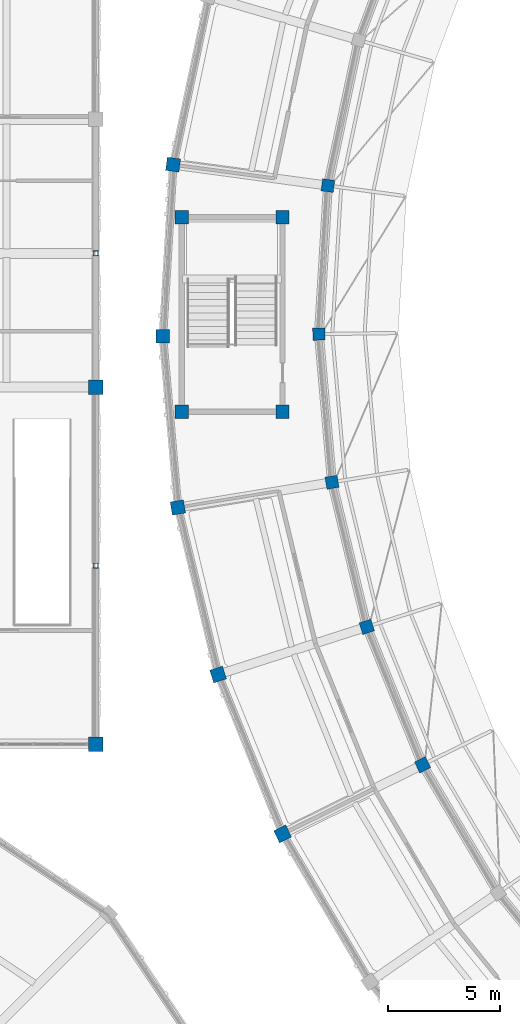
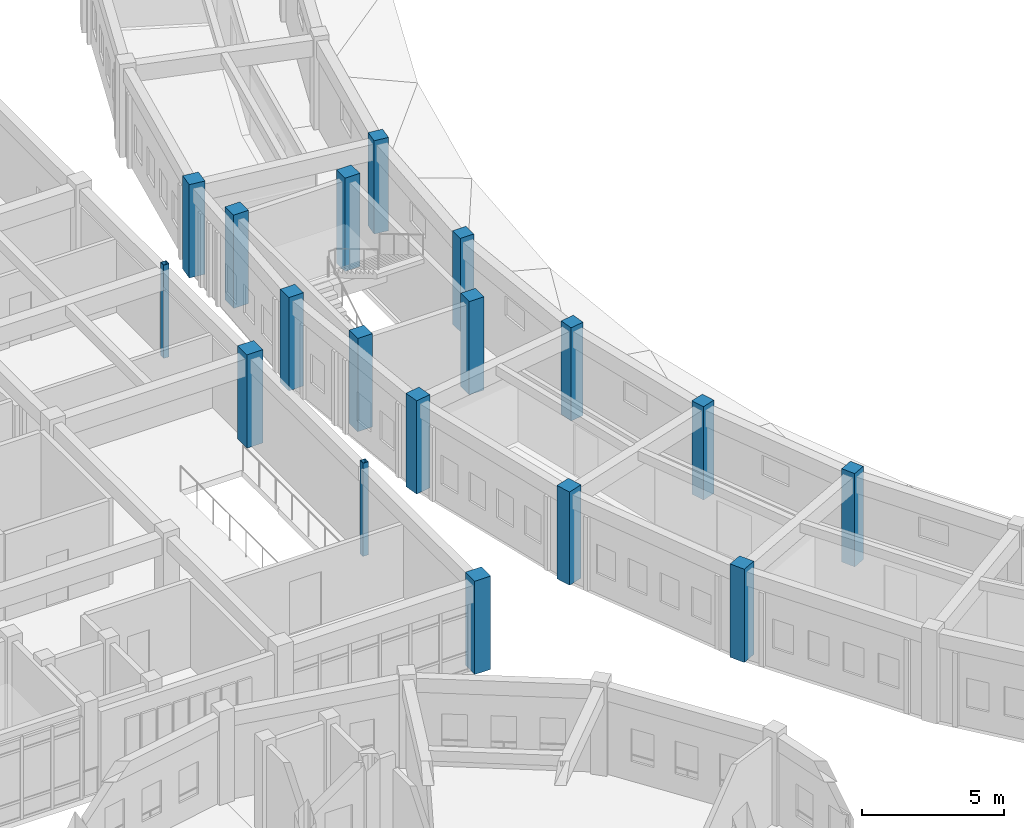
# One storey, part 3 of 112: 18 columns.
"""IFC4 building model written with IfcOpenShell, lengths in metres."""

from ifc_helpers import new_model, si_unit, direction, frame, origin, origin_2d, place, context, subcontext, project, spatial, rectangle, hollow_rectangle, extrude, material, material_profile, profile_set, type_object, element, save


model = new_model("IFC4")

# Units and contexts
model_context = context("Model", 3, precision=1e-05, world=origin(), true_north=direction((0.0, 1.0)))
body_context = subcontext(model_context, "Body", "Model", "MODEL_VIEW")
ifc_project = project(units=[si_unit("LENGTHUNIT", "METRE"), si_unit("AREAUNIT", "SQUARE_METRE"), si_unit("VOLUMEUNIT", "CUBIC_METRE"), si_unit("PLANEANGLEUNIT", "RADIAN"), si_unit("MASSUNIT", "GRAM", prefix="KILO")], contexts=[model_context])

# Site, building, storey
site_placement = place(None, origin())
site = spatial("IfcSite", under=ifc_project, at=site_placement, CompositionType="ELEMENT")
building_placement = place(site_placement, origin())
building = spatial("IfcBuilding", under=site, at=building_placement, Name="Celadon Cloister-Ring School", CompositionType="ELEMENT")
storey_placement = place(building_placement, frame((0.0, 0.0, 8.5)))
storey = spatial("IfcBuildingStorey", under=building, at=storey_placement, Name="L02", CompositionType="ELEMENT", Elevation=8.5)

# Columns
ifc_material_1 = material(Name="Concrete C40/50", Category="concrete")
ifc_material_profile_1 = material_profile(ifc_material_1, rectangle(XDim=0.60009765625, YDim=0.60009765625, at=origin_2d()), Name="RC600X600")
ifc_profile_set_1 = profile_set([ifc_material_profile_1], Name="Concrete C40/50")
column_type_1 = type_object("IfcColumnType", Name="CT-04", PredefinedType="COLUMN", material=ifc_profile_set_1)
for number, where, z_axis, x_axis, name in (
    (1, (35.85009765625, 54.89990234375, 0.0), (0.0, 0.0, 1.0), (1.0, 0.0, 0.0), "Column 0035"),
    (2, (40.3701171875, 54.89990234375, 0.0), (0.0, 0.0, 1.0), (1.0, 0.0, 0.0), "Column 0039"),
    (3, (40.3701171875, 63.6201171875, 0.0), (0.0, 0.0, 1.0), (1.0, 0.0, 0.0), "Column 0043"),
    (4, (35.85009765625, 63.6201171875, 0.0), (0.0, 0.0, 1.0), (1.0, 0.0, 0.0), "Column 0047"),
):
    element("IfcColumn", number, at=place(storey_placement, frame(where, z_axis=z_axis, x_axis=x_axis)), inside=storey, type_object=column_type_1, Name=name, PredefinedType="COLUMN", context=body_context, shape_type="SweptSolid", body=[
        extrude(rectangle(XDim=0.60009765625, YDim=0.60009765625, at=origin_2d()), origin(), (0.0, 0.0, 1.0), 4.0),
    ])
ifc_material_2 = material(Name="Concrete C40/50", Category="concrete")
ifc_material_profile_2 = material_profile(ifc_material_2, rectangle(XDim=0.64990234375, YDim=0.64990234375, at=origin_2d()), Name="RC650X650")
ifc_profile_set_2 = profile_set([ifc_material_profile_2], Name="Concrete C40/50")
column_type_2 = type_object("IfcColumnType", Name="CT-22", PredefinedType="COLUMN", material=ifc_profile_set_2)
for number, where, z_axis, x_axis, name in (
    (5, (32.0, 40.0, 0.0), (0.0, 0.0, 1.0), (1.0, 0.0, 0.0), "Column 1150"),
    (6, (32.0, 56.0, 0.0), (0.0, 0.0, 1.0), (1.0, 0.0, 0.0), "Column 1160"),
):
    element("IfcColumn", number, at=place(storey_placement, frame(where, z_axis=z_axis, x_axis=x_axis)), inside=storey, type_object=column_type_2, Name=name, PredefinedType="COLUMN", context=body_context, shape_type="SweptSolid", body=[
        extrude(rectangle(XDim=0.64990234375, YDim=0.64990234375, at=origin_2d()), origin(), (0.0, 0.0, 1.0), 4.0),
    ])
ifc_material_3 = material(Name="Concrete C40/50", Category="concrete")
ifc_material_profile_3 = material_profile(ifc_material_3, rectangle(XDim=0.60009765625, YDim=0.60009765625, at=origin_2d()), Name="RC600X600")
ifc_profile_set_3 = profile_set([ifc_material_profile_3], Name="Concrete C40/50")
column_type_3 = type_object("IfcColumnType", Name="CT-23", PredefinedType="COLUMN", material=ifc_profile_set_3)
for number, where, z_axis, x_axis, name in (
    (7, (35.468994140625, 65.970947265625, 0.0), (0.0, 0.0, 1.0), (-0.9909738433, 0.13405536877, 0.0), "Column 0566"),
    (8, (35.0048828125, 58.281005859375, 0.0), (0.0, 0.0, 1.0), (-0.999904463751, -0.013822567474, 0.0), "Column 0570"),
    (9, (35.681884765625, 50.60693359375, 0.0), (0.0, 0.0, 1.0), (-0.986889540988, -0.161397130983, 0.0), "Column 0574"),
    (10, (37.485107421875, 43.117919921875, 0.0), (0.0, 0.0, 1.0), (-0.95221472185, -0.305429408362, 0.0), "Column 0578"),
    (11, (40.375, 35.97705078125, 0.0), (0.0, 0.0, 1.0), (-0.896641036785, -0.442758231039, 0.0), "Column 0582"),
):
    element("IfcColumn", number, at=place(storey_placement, frame(where, z_axis=z_axis, x_axis=x_axis)), inside=storey, type_object=column_type_3, Name=name, PredefinedType="COLUMN", context=body_context, shape_type="SweptSolid", body=[
        extrude(rectangle(XDim=0.60009765625, YDim=0.60009765625, at=origin_2d()), origin(), (0.0, 0.0, 1.0), 4.0),
    ])
ifc_material_4 = material(Name="Concrete C40/50", Category="concrete")
ifc_material_profile_4 = material_profile(ifc_material_4, rectangle(XDim=0.550048828125, YDim=0.550048828125, at=origin_2d()), Name="RC550X550")
ifc_profile_set_4 = profile_set([ifc_material_profile_4], Name="Concrete C40/50")
column_type_4 = type_object("IfcColumnType", Name="CT-24", PredefinedType="COLUMN", material=ifc_profile_set_4)
for number, where, z_axis, x_axis, name in (
    (12, (42.406005859375, 65.031982421875, 0.0), (0.0, 0.0, 1.0), (-0.9909738433, 0.13405536877, 0.0), "Column 0422"),
    (13, (42.00390625, 58.3779296875, 0.0), (0.0, 0.0, 1.0), (-0.999904463751, -0.013822567474, 0.0), "Column 0426"),
    (14, (42.590087890625, 51.737060546875, 0.0), (0.0, 0.0, 1.0), (-0.986889540988, -0.161397130983, 0.0), "Column 0430"),
    (15, (44.14990234375, 45.256103515625, 0.0), (0.0, 0.0, 1.0), (-0.95221472185, -0.305429408362, 0.0), "Column 0434"),
    (16, (46.65087890625, 39.075927734375, 0.0), (0.0, 0.0, 1.0), (-0.896641036785, -0.442758231039, 0.0), "Column 0438"),
):
    element("IfcColumn", number, at=place(storey_placement, frame(where, z_axis=z_axis, x_axis=x_axis)), inside=storey, type_object=column_type_4, Name=name, PredefinedType="COLUMN", context=body_context, shape_type="SweptSolid", body=[
        extrude(rectangle(XDim=0.550048828125, YDim=0.550048828125, at=origin_2d()), origin(), (0.0, 0.0, 1.0), 4.0),
    ])
ifc_material_5 = material(Name="Structural steel S355JR", Category="steel")
ifc_material_profile_5 = material_profile(ifc_material_5, hollow_rectangle(XDim=0.219970703125, YDim=0.219970703125, WallThickness=0.010009765625, at=origin_2d()), Name="HSS220X220X10")
ifc_profile_set_5 = profile_set([ifc_material_profile_5], Name="Structural steel S355JR")
column_type_5 = type_object("IfcColumnType", Name="CT-26", PredefinedType="COLUMN", material=ifc_profile_set_5)
for number, where, z_axis, x_axis, name in (
    (17, (32.0, 48.0, 0.0), (0.0, 0.0, 1.0), (1.0, 0.0, 0.0), "Column 1155"),
    (18, (32.0, 62.0, 0.0), (0.0, 0.0, 1.0), (1.0, 0.0, 0.0), "Column 1165"),
):
    element("IfcColumn", number, at=place(storey_placement, frame(where, z_axis=z_axis, x_axis=x_axis)), inside=storey, type_object=column_type_5, Name=name, PredefinedType="COLUMN", context=body_context, shape_type="SweptSolid", body=[
        extrude(hollow_rectangle(XDim=0.219970703125, YDim=0.219970703125, WallThickness=0.010009765625, at=origin_2d()), origin(), (0.0, 0.0, 1.0), 4.0),
    ])

save(model, "model.ifc")
